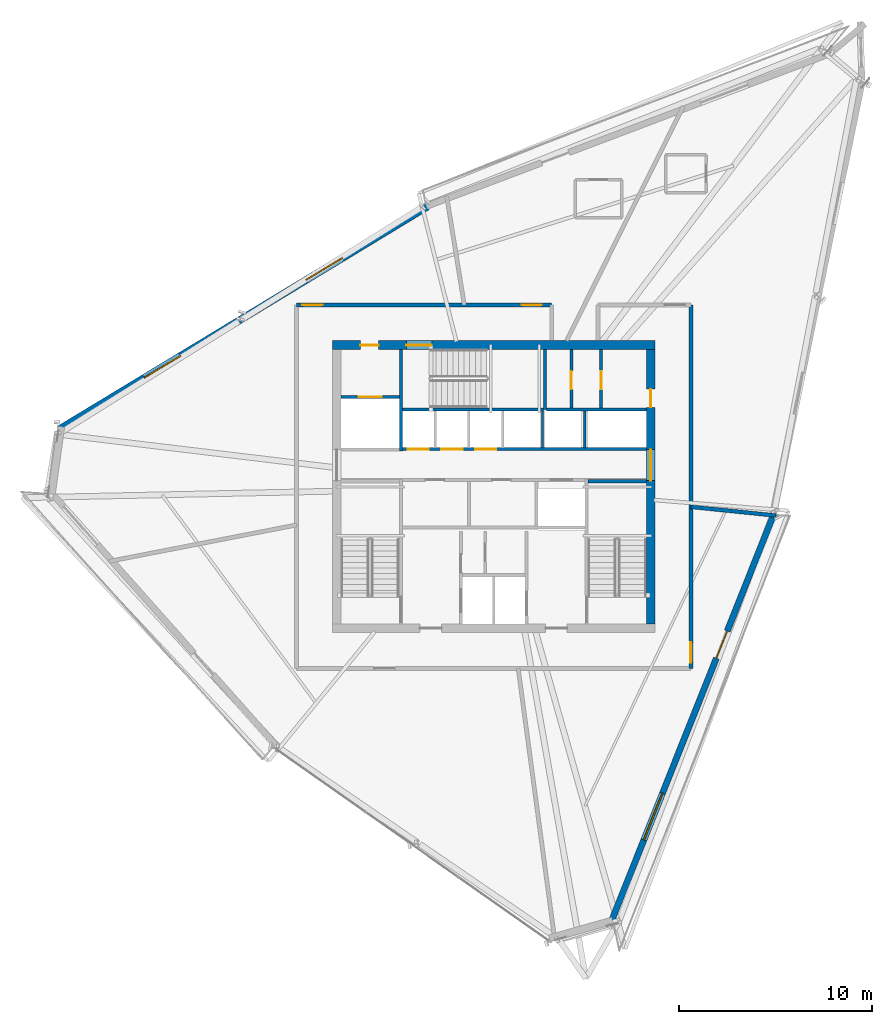
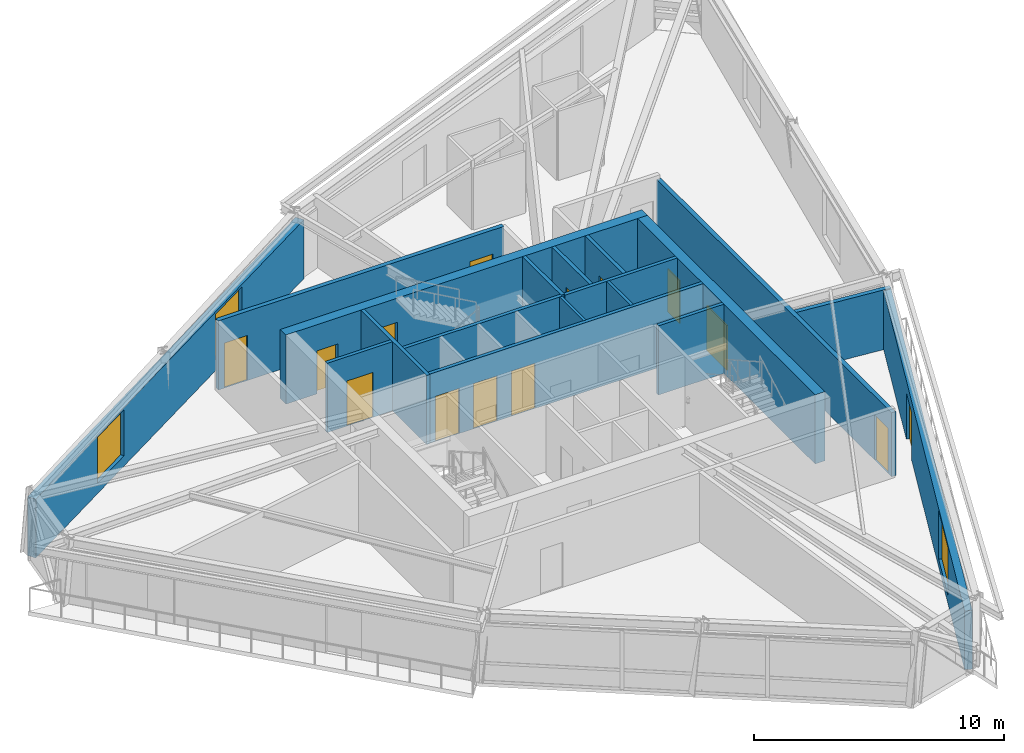
# One storey, part 9 of 13: 18 walls, 14 doors, 3 windows, 17 openings.
"""IFC4 building model written with IfcOpenShell, lengths in metres."""

from ifc_helpers import new_model, si_unit, direction, frame, frame_2d, origin, place, context, subcontext, project, spatial, rectangle, extrude, source, transform, mapped, material, layer, layer_set, type_object, type_shapes, element, fill, save


model = new_model("IFC4")

# Units and contexts
model_context = context("Model", 3, precision=1e-05, world=origin(), true_north=direction((0.0, 1.0)))
body_context = subcontext(model_context, "Body", "Model", "MODEL_VIEW")
ifc_project = project(units=[si_unit("LENGTHUNIT", "METRE"), si_unit("AREAUNIT", "SQUARE_METRE"), si_unit("VOLUMEUNIT", "CUBIC_METRE"), si_unit("PLANEANGLEUNIT", "RADIAN"), si_unit("MASSUNIT", "GRAM", prefix="KILO")], contexts=[model_context])

# Site, building, storey
site_placement = place(None, origin())
site = spatial("IfcSite", under=ifc_project, at=site_placement, CompositionType="ELEMENT")
building_placement = place(site_placement, origin())
building = spatial("IfcBuilding", under=site, at=building_placement, Name="Olszyna Solenne Hotel", CompositionType="ELEMENT")
storey_placement = place(building_placement, frame((0.0, 0.0, 238.10009765625)))
storey = spatial("IfcBuildingStorey", under=building, at=storey_placement, Name="L63", CompositionType="ELEMENT", Elevation=238.10009765625)

# Wall, openings, doors
ifc_material_1 = material(Name="Concrete C50/60", Category="concrete")
ifc_layer_1 = layer(ifc_material_1, 0.449951171875, Name="Concrete C50/60")
ifc_layer_set_1 = layer_set([ifc_layer_1], Name="Concrete C50/60")
wall_type_1 = type_object("IfcWallType", Name="WL-CR450", PredefinedType="SHEAR", material=ifc_layer_set_1)
wall_1_placement = place(storey_placement, frame((29.64990234375, 33.925048828125, 0.0), z_axis=(0.0, 0.0, 1.0), x_axis=(1.0, 0.0, 0.0)))
wall_1 = element("IfcWall", 1, at=wall_1_placement, inside=storey, type_object=wall_type_1, Name="Core shear wall WL-CR450 CRW-L63-N", PredefinedType="SHEAR", context=body_context, shape_type="SweptSolid", body=[
    extrude(rectangle(XDim=16.7001953125, YDim=0.449951171875, at=frame_2d((8.35009765625, 0.0))), origin(), (0.0, 0.0, 1.0), 3.3798828125),
])
opening_1_placement = place(wall_1_placement, frame((1.449951171875, 0.0, 0.0)))
opening_1 = element("IfcOpeningElement", 2, at=opening_1_placement, cuts=wall_1, Name="Opening SVD-L63-01", PredefinedType="OPENING", context=body_context, shape_type="SweptSolid", body=[
    extrude(rectangle(XDim=0.949951171875, YDim=2.10009765625, at=frame_2d((0.47509765625, 1.050048828125))), frame((0.0, 0.23486328125, 0.0), z_axis=(0.0, -1.0, 0.0), x_axis=(1.0, 0.0, 0.0)), (0.0, 0.0, 1.0), 0.469970703125),
])
opening_2_placement = place(wall_1_placement, frame((3.830078125, 0.0, 0.0)))
opening_2 = element("IfcOpeningElement", 3, at=opening_2_placement, cuts=wall_1, Name="Opening STD-L63-03", PredefinedType="OPENING", context=body_context, shape_type="SweptSolid", body=[
    extrude(rectangle(XDim=1.320068359375, YDim=2.199951171875, at=frame_2d((0.66015625, 1.10009765625))), frame((0.0, 0.23486328125, 0.0), z_axis=(0.0, -1.0, 0.0), x_axis=(1.0, 0.0, 0.0)), (0.0, 0.0, 1.0), 0.469970703125),
])
ifc_material_2 = material(Name="Steel S355J2", Category="steel")
door_type_1 = type_object("IfcDoorType", Name="DR-ST1", OperationType="NOTDEFINED", PredefinedType="DOOR", material=ifc_material_2)
shared_shape_1 = source(origin(), body_context, "Body", "SweptSolid", [
    extrude(rectangle(XDim=1.320068359375, YDim=2.199951171875, at=frame_2d((0.66015625, 1.10009765625))), frame((0.0, 0.02490234375, 0.0), z_axis=(0.0, -1.0, 0.0), x_axis=(1.0, 0.0, 0.0)), (0.0, 0.0, 1.0), 0.050048828125),
])
type_shapes(door_type_1, [shared_shape_1])
door_1_placement = place(opening_2_placement, origin())
door_1 = element("IfcDoor", 4, at=door_1_placement, inside=storey, type_object=door_type_1, Name="Pressurised exit stair ST3 fire door STD-L63-03", OperationType="SINGLE_SWING_RIGHT", OverallHeight=2.199951171875, OverallWidth=1.320068359375, PredefinedType="DOOR", context=body_context, shape_type="MappedRepresentation", body=[
    mapped(shared_shape_1, transform((0.0, 0.0, 0.0), x_axis=(1.0, 0.0, 0.0), y_axis=(0.0, 1.0, 0.0), z_axis=(0.0, 0.0, 1.0), scale=1.0)),
])
fill(opening_2, door_1)
door_type_2 = type_object("IfcDoorType", Name="DR-SV1", OperationType="NOTDEFINED", PredefinedType="DOOR", material=ifc_material_2)
shared_shape_2 = source(origin(), body_context, "Body", "SweptSolid", [
    extrude(rectangle(XDim=0.949951171875, YDim=2.10009765625, at=frame_2d((0.47509765625, 1.050048828125))), frame((0.0, 0.02490234375, 0.0), z_axis=(0.0, -1.0, 0.0), x_axis=(1.0, 0.0, 0.0)), (0.0, 0.0, 1.0), 0.050048828125),
])
type_shapes(door_type_2, [shared_shape_2])
door_2_placement = place(opening_1_placement, origin())
door_2 = element("IfcDoor", 5, at=door_2_placement, inside=storey, type_object=door_type_2, Name="Service lift lobby fire door SVD-L63-01", OperationType="SINGLE_SWING_LEFT", OverallHeight=2.10009765625, OverallWidth=0.949951171875, PredefinedType="DOOR", context=body_context, shape_type="MappedRepresentation", body=[
    mapped(shared_shape_2, transform((0.0, 0.0, 0.0), x_axis=(1.0, 0.0, 0.0), y_axis=(0.0, 1.0, 0.0), z_axis=(0.0, 0.0, 1.0), scale=1.0)),
])
fill(opening_1, door_2)

wall_2_placement = place(storey_placement, frame((46.125, 33.699951171875, 0.0), z_axis=(0.0, 0.0, 1.0), x_axis=(0.0, -1.0, 0.0)))
wall_2 = element("IfcWall", 6, at=wall_2_placement, inside=storey, type_object=wall_type_1, Name="Core shear wall WL-CR450 CRW-L63-E", PredefinedType="SHEAR", context=body_context, shape_type="SweptSolid", body=[
    extrude(rectangle(XDim=14.199951171875, YDim=0.449951171875, at=frame_2d((7.10009765625, 0.0))), origin(), (0.0, 0.0, 1.0), 3.3798828125),
])
opening_3_placement = place(wall_2_placement, frame((5.179931640625, 0.0, 0.0)))
opening_3 = element("IfcOpeningElement", 7, at=opening_3_placement, cuts=wall_2, Name="Opening LHD-L63-E", PredefinedType="OPENING", context=body_context, shape_type="SweptSolid", body=[
    extrude(rectangle(XDim=1.60009765625, YDim=2.199951171875, at=frame_2d((0.800048828125, 1.10009765625))), frame((0.0, 0.23486328125, 0.0), z_axis=(0.0, -1.0, 0.0), x_axis=(1.0, 0.0, 0.0)), (0.0, 0.0, 1.0), 0.469970703125),
])
opening_4_placement = place(wall_2_placement, frame((2.050048828125, 0.0, 0.0)))
opening_4 = element("IfcOpeningElement", 8, at=opening_4_placement, cuts=wall_2, Name="Opening SVD-L63-BE", PredefinedType="OPENING", context=body_context, shape_type="SweptSolid", body=[
    extrude(rectangle(XDim=0.949951171875, YDim=2.10009765625, at=frame_2d((0.47509765625, 1.050048828125))), frame((0.0, 0.23486328125, 0.0), z_axis=(0.0, -1.0, 0.0), x_axis=(1.0, 0.0, 0.0)), (0.0, 0.0, 1.0), 0.469970703125),
])
door_3_placement = place(opening_4_placement, origin())
door_3 = element("IfcDoor", 9, at=door_3_placement, inside=storey, type_object=door_type_2, Name="Housekeeping core fire door SVD-L63-BE", OperationType="SINGLE_SWING_RIGHT", OverallHeight=2.10009765625, OverallWidth=0.949951171875, PredefinedType="DOOR", context=body_context, shape_type="MappedRepresentation", body=[
    mapped(shared_shape_2, transform((0.0, 0.0, 0.0), x_axis=(1.0, 0.0, 0.0), y_axis=(0.0, 1.0, 0.0), z_axis=(0.0, 0.0, 1.0), scale=1.0)),
])
fill(opening_4, door_3)
ifc_material_3 = material(Name="Timber hardwood", Category="wood")
door_type_3 = type_object("IfcDoorType", Name="DR-CR1", OperationType="DOUBLE_DOOR_SINGLE_SWING", PredefinedType="DOOR", material=ifc_material_3)
shared_shape_3 = source(origin(), body_context, "Body", "SweptSolid", [
    extrude(rectangle(XDim=1.60009765625, YDim=2.199951171875, at=frame_2d((0.800048828125, 1.10009765625))), frame((0.0, 0.02490234375, 0.0), z_axis=(0.0, -1.0, 0.0), x_axis=(1.0, 0.0, 0.0)), (0.0, 0.0, 1.0), 0.050048828125),
])
type_shapes(door_type_3, [shared_shape_3])
door_4_placement = place(opening_3_placement, origin())
door_4 = element("IfcDoor", 10, at=door_4_placement, inside=storey, type_object=door_type_3, Name="Passenger lift lobby East fire door LHD-L63-E", OperationType="DOUBLE_DOOR_SINGLE_SWING", OverallHeight=2.199951171875, OverallWidth=1.60009765625, PredefinedType="DOOR", context=body_context, shape_type="MappedRepresentation", body=[
    mapped(shared_shape_3, transform((0.0, 0.0, 0.0), x_axis=(1.0, 0.0, 0.0), y_axis=(0.0, 1.0, 0.0), z_axis=(0.0, 0.0, 1.0), scale=1.0)),
])
fill(opening_3, door_4)

# Wall, openings, door, window
ifc_material_4 = material(Name="Precast concrete C45/55", Category="concrete")
ifc_layer_2 = layer(ifc_material_4, 0.320068359375, Name="Precast concrete C45/55")
ifc_layer_set_2 = layer_set([ifc_layer_2], Name="Precast concrete C45/55")
wall_type_2 = type_object("IfcWallType", Name="WL-EX320", PredefinedType="SOLIDWALL", material=ifc_layer_set_2)
wall_3_placement = place(storey_placement, frame((52.501708984375, 25.204345703125, 0.0), z_axis=(0.0, 0.0, 1.0), x_axis=(-0.37055605209, -0.928810105597, 0.0)))
wall_3 = element("IfcWall", 11, at=wall_3_placement, inside=storey, type_object=wall_type_2, Name="Exterior terracotta-precast frame wall WL-EX320 EW-L63-01", PredefinedType="SOLIDWALL", context=body_context, shape_type="SweptSolid", body=[
    extrude(rectangle(XDim=22.800048828125, YDim=0.320068359375, at=frame_2d((11.39990234375, 0.0))), origin(), (0.0, 0.0, 1.0), 2.871826171875),
])
opening_5_placement = place(wall_3_placement, frame((6.5458984375, 0.0, 0.0)))
opening_5 = element("IfcOpeningElement", 12, at=opening_5_placement, cuts=wall_3, Name="Opening LDG-L63-3", PredefinedType="OPENING", context=body_context, shape_type="SweptSolid", body=[
    extrude(rectangle(XDim=1.5, YDim=2.300048828125, at=frame_2d((0.75, 1.14990234375))), frame((0.0, 0.169921875, 0.0), z_axis=(0.0, -1.0, 0.0), x_axis=(1.0, 0.0, 0.0)), (0.0, 0.0, 1.0), 0.340087890625),
])
opening_6_placement = place(wall_3_placement, frame((15.572021484375, 0.0, 0.402099609375)))
opening_6 = element("IfcOpeningElement", 13, at=opening_6_placement, cuts=wall_3, Name="Opening WN-L63-409", PredefinedType="OPENING", context=body_context, shape_type="SweptSolid", body=[
    extrude(rectangle(XDim=2.60009765625, YDim=2.35009765625, at=frame_2d((1.300048828125, 1.175048828125))), frame((0.0, 0.169921875, 0.0), z_axis=(0.0, -1.0, 0.0), x_axis=(1.0, 0.0, 0.0)), (0.0, 0.0, 1.0), 0.340087890625),
])
ifc_material_5 = material(Name="Anodised bronze aluminium", Category="aluminium")
door_type_4 = type_object("IfcDoorType", Name="DR-LG2", OperationType="DOUBLE_DOOR_SINGLE_SWING", PredefinedType="DOOR", material=ifc_material_5)
shared_shape_4 = source(origin(), body_context, "Body", "SweptSolid", [
    extrude(rectangle(XDim=1.5, YDim=2.300048828125, at=frame_2d((0.75, 1.14990234375))), frame((0.0, 0.02490234375, 0.0), z_axis=(0.0, -1.0, 0.0), x_axis=(1.0, 0.0, 0.0)), (0.0, 0.0, 1.0), 0.050048828125),
])
type_shapes(door_type_4, [shared_shape_4])
door_5_placement = place(opening_5_placement, origin())
door_5 = element("IfcDoor", 14, at=door_5_placement, inside=storey, type_object=door_type_4, Name="Exterior loggia balcony door DR-LG2 LDG-L63-3", OperationType="DOUBLE_DOOR_SINGLE_SWING", OverallHeight=2.300048828125, OverallWidth=1.5, PredefinedType="DOOR", context=body_context, shape_type="MappedRepresentation", body=[
    mapped(shared_shape_4, transform((0.0, 0.0, 0.0), x_axis=(1.0, 0.0, 0.0), y_axis=(0.0, 1.0, 0.0), z_axis=(0.0, 0.0, 1.0), scale=1.0)),
])
fill(opening_5, door_5)
ifc_material_6 = material(Name="Low-E triple glazing", Category="glass")
window_type_1 = type_object("IfcWindowType", Name="WN-ST1", PartitioningType="SINGLE_PANEL", PredefinedType="WINDOW", material=ifc_material_6)
shared_shape_5 = source(origin(), body_context, "Body", "SweptSolid", [
    extrude(rectangle(XDim=2.60009765625, YDim=2.35009765625, at=frame_2d((1.300048828125, 1.175048828125))), frame((0.0, 0.030029296875, 0.0), z_axis=(0.0, -1.0, 0.0), x_axis=(1.0, 0.0, 0.0)), (0.0, 0.0, 1.0), 0.06005859375),
])
type_shapes(window_type_1, [shared_shape_5])
window_1_placement = place(opening_6_placement, origin())
window_1 = element("IfcWindow", 15, at=window_1_placement, inside=storey, type_object=window_type_1, Name="Loggia room window WN-ST1 WN-L63-409", OverallHeight=2.35009765625, OverallWidth=2.60009765625, PartitioningType="SINGLE_PANEL", PredefinedType="WINDOW", context=body_context, shape_type="MappedRepresentation", body=[
    mapped(shared_shape_5, transform((0.0, 0.0, 0.0), x_axis=(1.0, 0.0, 0.0), y_axis=(0.0, 1.0, 0.0), z_axis=(0.0, 0.0, 1.0), scale=1.0)),
])
fill(opening_6, window_1)

# Wall, openings, windows
ifc_material_7 = material(Name="Terracotta cladding on precast concrete C45/55", Category="masonry")
ifc_layer_3 = layer(ifc_material_7, 0.3798828125, Name="Terracotta cladding on precast concrete C45/55")
ifc_layer_set_3 = layer_set([ifc_layer_3], Name="Terracotta cladding on precast concrete C45/55")
wall_type_3 = type_object("IfcWallType", Name="WL-EX380", PredefinedType="SOLIDWALL", material=ifc_layer_set_3)
wall_4_placement = place(storey_placement, frame((15.52490234375, 29.570068359375, 0.0), z_axis=(0.0, 0.0, 1.0), x_axis=(0.855554684799, 0.517712450418, 0.0)))
wall_4 = element("IfcWall", 16, at=wall_4_placement, inside=storey, type_object=wall_type_3, Name="Exterior terracotta-precast frame wall WL-EX380 EW-L63-06", PredefinedType="SOLIDWALL", context=body_context, shape_type="SweptSolid", body=[
    extrude(rectangle(XDim=22.253173828125, YDim=0.3798828125, at=frame_2d((11.12646484375, 0.0))), origin(), (0.0, 0.0, 1.0), 2.871826171875),
])
opening_7_placement = place(wall_4_placement, frame((5.131103515625, 0.0, 0.501953125)))
opening_7 = element("IfcOpeningElement", 17, at=opening_7_placement, cuts=wall_4, Name="Opening WN-L63-411", PredefinedType="OPENING", context=body_context, shape_type="SweptSolid", body=[
    extrude(rectangle(XDim=2.199951171875, YDim=2.25, at=frame_2d((1.10009765625, 1.125))), frame((0.0, 0.199951171875, 0.0), z_axis=(0.0, -1.0, 0.0), x_axis=(1.0, 0.0, 0.0)), (0.0, 0.0, 1.0), 0.39990234375),
])
opening_8_placement = place(wall_4_placement, frame((14.922119140625, 0.0, 0.501953125)))
opening_8 = element("IfcOpeningElement", 18, at=opening_8_placement, cuts=wall_4, Name="Opening WN-L63-412", PredefinedType="OPENING", context=body_context, shape_type="SweptSolid", body=[
    extrude(rectangle(XDim=2.199951171875, YDim=2.25, at=frame_2d((1.10009765625, 1.125))), frame((0.0, 0.199951171875, 0.0), z_axis=(0.0, -1.0, 0.0), x_axis=(1.0, 0.0, 0.0)), (0.0, 0.0, 1.0), 0.39990234375),
])
window_type_2 = type_object("IfcWindowType", Name="WN-HT2", PartitioningType="SINGLE_PANEL", PredefinedType="WINDOW", material=ifc_material_6)
shared_shape_6 = source(origin(), body_context, "Body", "SweptSolid", [
    extrude(rectangle(XDim=2.199951171875, YDim=2.25, at=frame_2d((1.10009765625, 1.125))), frame((0.0, 0.030029296875, 0.0), z_axis=(0.0, -1.0, 0.0), x_axis=(1.0, 0.0, 0.0)), (0.0, 0.0, 1.0), 0.06005859375),
])
type_shapes(window_type_2, [shared_shape_6])
window_2_placement = place(opening_7_placement, origin())
window_2 = element("IfcWindow", 19, at=window_2_placement, inside=storey, type_object=window_type_2, Name="Exterior facade window WN-HT2 WN-L63-411", OverallHeight=2.25, OverallWidth=2.199951171875, PartitioningType="SINGLE_PANEL", PredefinedType="WINDOW", context=body_context, shape_type="MappedRepresentation", body=[
    mapped(shared_shape_6, transform((0.0, 0.0, 0.0), x_axis=(1.0, 0.0, 0.0), y_axis=(0.0, 1.0, 0.0), z_axis=(0.0, 0.0, 1.0), scale=1.0)),
])
fill(opening_7, window_2)
window_3_placement = place(opening_8_placement, origin())
window_3 = element("IfcWindow", 20, at=window_3_placement, inside=storey, type_object=window_type_2, Name="Exterior facade window WN-HT2 WN-L63-412", OverallHeight=2.25, OverallWidth=2.199951171875, PartitioningType="SINGLE_PANEL", PredefinedType="WINDOW", context=body_context, shape_type="MappedRepresentation", body=[
    mapped(shared_shape_6, transform((0.0, 0.0, 0.0), x_axis=(1.0, 0.0, 0.0), y_axis=(0.0, 1.0, 0.0), z_axis=(0.0, 0.0, 1.0), scale=1.0)),
])
fill(opening_8, window_3)

# Walls
ifc_material_8 = material(Name="Acoustic gypsum partition", Category="gypsum")
ifc_layer_4 = layer(ifc_material_8, 0.125, Name="Acoustic gypsum partition")
ifc_layer_set_4 = layer_set([ifc_layer_4], Name="Acoustic gypsum partition")
wall_type_4 = type_object("IfcWallType", Name="WL-PT125", PredefinedType="PARTITIONING", material=ifc_layer_set_4)
for number, where, z_axis, x_axis, name in (
    (21, (40.52490234375, 28.60009765625, 0.0), (0.0, 0.0, 1.0), (0.0, 1.0, 0.0), "Core shaft compartment wall CW-L63-DIVEX405"),
    (22, (42.699951171875, 28.60009765625, 0.0), (0.0, 0.0, 1.0), (0.0, 1.0, 0.0), "Core shaft compartment wall CW-L63-DIVEX427"),
):
    element("IfcWall", number, at=place(storey_placement, frame(where, z_axis=z_axis, x_axis=x_axis)), inside=storey, type_object=wall_type_4, Name=name, PredefinedType="PARTITIONING", context=body_context, shape_type="SweptSolid", body=[
        extrude(rectangle(XDim=1.919921875, YDim=0.125, at=frame_2d((0.9599609375, 0.0))), origin(), (0.0, 0.0, 1.0), 3.3798828125),
    ])
ifc_layer_5 = layer(ifc_material_8, 0.159912109375, Name="Acoustic gypsum partition")
ifc_layer_set_5 = layer_set([ifc_layer_5], Name="Acoustic gypsum partition")
wall_type_5 = type_object("IfcWallType", Name="WL-PT160", PredefinedType="PARTITIONING", material=ifc_layer_set_5)
wall_5_placement = place(storey_placement, frame((42.8798828125, 26.8798828125, 0.0), z_axis=(0.0, 0.0, 1.0), x_axis=(1.0, 0.0, 0.0)))
element("IfcWall", 23, at=wall_5_placement, inside=storey, type_object=wall_type_5, Name="Core shaft compartment wall CW-L63-ST2N", PredefinedType="PARTITIONING", context=body_context, shape_type="SweptSolid", body=[
    extrude(rectangle(XDim=3.02001953125, YDim=0.159912109375, at=frame_2d((1.510009765625, 0.0))), origin(), (0.0, 0.0, 1.0), 3.3798828125),
])
wall_6_placement = place(storey_placement, frame((33.280029296875, 30.60009765625, 0.0), z_axis=(0.0, 0.0, 1.0), x_axis=(1.0, 0.0, 0.0)))
element("IfcWall", 24, at=wall_6_placement, inside=storey, type_object=wall_type_5, Name="Core shaft compartment wall CW-L63-ST3S", PredefinedType="PARTITIONING", context=body_context, shape_type="SweptSolid", body=[
    extrude(rectangle(XDim=7.300048828125, YDim=0.159912109375, at=frame_2d((3.64990234375, 0.0))), origin(), (0.0, 0.0, 1.0), 3.3798828125),
])
wall_7_placement = place(storey_placement, frame((40.659912109375, 30.60009765625, 0.0), z_axis=(0.0, 0.0, 1.0), x_axis=(0.0, 1.0, 0.0)))
element("IfcWall", 25, at=wall_7_placement, inside=storey, type_object=wall_type_5, Name="Core shaft compartment wall CW-L63-ST3E", PredefinedType="PARTITIONING", context=body_context, shape_type="SweptSolid", body=[
    extrude(rectangle(XDim=3.099853515625, YDim=0.159912109375, at=frame_2d((1.5498046875, 0.0))), origin(), (0.0, 0.0, 1.0), 3.3798828125),
])
wall_8_placement = place(storey_placement, frame((33.199951171875, 28.43994140625, 0.0), z_axis=(0.0, 0.0, 1.0), x_axis=(0.0, 1.0, 0.0)))
element("IfcWall", 26, at=wall_8_placement, inside=storey, type_object=wall_type_5, Name="Core shaft compartment wall CW-L63-SV1E", PredefinedType="PARTITIONING", context=body_context, shape_type="SweptSolid", body=[
    extrude(rectangle(XDim=5.260009765625, YDim=0.159912109375, at=frame_2d((2.6298828125, 0.0))), origin(), (0.0, 0.0, 1.0), 3.3798828125),
])

# Wall, opening, door
wall_9_placement = place(storey_placement, frame((30.10009765625, 31.239990234375, 0.0), z_axis=(0.0, 0.0, 1.0), x_axis=(1.0, 0.0, 0.0)))
wall_9 = element("IfcWall", 27, at=wall_9_placement, inside=storey, type_object=wall_type_5, Name="Core shaft compartment wall CW-L63-SV1N", PredefinedType="PARTITIONING", context=body_context, shape_type="SweptSolid", body=[
    extrude(rectangle(XDim=3.02001953125, YDim=0.159912109375, at=frame_2d((1.510009765625, 0.0))), origin(), (0.0, 0.0, 1.0), 3.3798828125),
])
opening_9_placement = place(wall_9_placement, frame((0.909912109375, 0.0, 0.0)))
opening_9 = element("IfcOpeningElement", 28, at=opening_9_placement, cuts=wall_9, Name="Opening LD-L63-SV1", PredefinedType="OPENING", context=body_context, shape_type="SweptSolid", body=[
    extrude(rectangle(XDim=1.199951171875, YDim=2.199951171875, at=frame_2d((0.60009765625, 1.10009765625))), frame((0.0, 0.08984375, 0.0), z_axis=(0.0, -1.0, 0.0), x_axis=(1.0, 0.0, 0.0)), (0.0, 0.0, 1.0), 0.179931640625),
])
door_type_5 = type_object("IfcDoorType", Name="LD-FF1", OperationType="DOUBLE_DOOR_SLIDING", PredefinedType="DOOR", material=ifc_material_2)
shared_shape_7 = source(origin(), body_context, "Body", "SweptSolid", [
    extrude(rectangle(XDim=1.199951171875, YDim=2.199951171875, at=frame_2d((0.60009765625, 1.10009765625))), frame((0.0, 0.02490234375, 0.0), z_axis=(0.0, -1.0, 0.0), x_axis=(1.0, 0.0, 0.0)), (0.0, 0.0, 1.0), 0.050048828125),
])
type_shapes(door_type_5, [shared_shape_7])
door_6_placement = place(opening_9_placement, origin())
door_6 = element("IfcDoor", 29, at=door_6_placement, inside=storey, type_object=door_type_5, Name="Service lift SV1 sliding landing door LD-L63-SV1", OperationType="DOUBLE_DOOR_SLIDING", OverallHeight=2.199951171875, OverallWidth=1.199951171875, PredefinedType="DOOR", context=body_context, shape_type="MappedRepresentation", body=[
    mapped(shared_shape_7, transform((0.0, 0.0, 0.0), x_axis=(1.0, 0.0, 0.0), y_axis=(0.0, 1.0, 0.0), z_axis=(0.0, 0.0, 1.0), scale=1.0)),
])
fill(opening_9, door_6)

# Wall, openings, doors
wall_10_placement = place(storey_placement, frame((33.280029296875, 28.5400390625, 0.0), z_axis=(0.0, 0.0, 1.0), x_axis=(1.0, 0.0, 0.0)))
wall_10 = element("IfcWall", 30, at=wall_10_placement, inside=storey, type_object=wall_type_5, Name="Core shaft compartment wall CW-L63-LRN", PredefinedType="PARTITIONING", context=body_context, shape_type="SweptSolid", body=[
    extrude(rectangle(XDim=12.619873046875, YDim=0.159912109375, at=frame_2d((6.31005859375, 0.0))), origin(), (0.0, 0.0, 1.0), 3.3798828125),
])
opening_10_placement = place(wall_10_placement, frame((0.260009765625, 0.0, 0.0)))
opening_10 = element("IfcOpeningElement", 31, at=opening_10_placement, cuts=wall_10, Name="Opening LD-L63-PL6", PredefinedType="OPENING", context=body_context, shape_type="SweptSolid", body=[
    extrude(rectangle(XDim=1.10009765625, YDim=2.199951171875, at=frame_2d((0.550048828125, 1.10009765625))), frame((0.0, 0.08984375, 0.0), z_axis=(0.0, -1.0, 0.0), x_axis=(1.0, 0.0, 0.0)), (0.0, 0.0, 1.0), 0.179931640625),
])
opening_11_placement = place(wall_10_placement, frame((2.010009765625, 0.0, 0.0)))
opening_11 = element("IfcOpeningElement", 32, at=opening_11_placement, cuts=wall_10, Name="Opening LD-L63-PL7", PredefinedType="OPENING", context=body_context, shape_type="SweptSolid", body=[
    extrude(rectangle(XDim=1.10009765625, YDim=2.199951171875, at=frame_2d((0.550048828125, 1.10009765625))), frame((0.0, 0.08984375, 0.0), z_axis=(0.0, -1.0, 0.0), x_axis=(1.0, 0.0, 0.0)), (0.0, 0.0, 1.0), 0.179931640625),
])
opening_12_placement = place(wall_10_placement, frame((3.760009765625, 0.0, 0.0)))
opening_12 = element("IfcOpeningElement", 33, at=opening_12_placement, cuts=wall_10, Name="Opening LD-L63-PL8", PredefinedType="OPENING", context=body_context, shape_type="SweptSolid", body=[
    extrude(rectangle(XDim=1.10009765625, YDim=2.199951171875, at=frame_2d((0.550048828125, 1.10009765625))), frame((0.0, 0.08984375, 0.0), z_axis=(0.0, -1.0, 0.0), x_axis=(1.0, 0.0, 0.0)), (0.0, 0.0, 1.0), 0.179931640625),
])
door_type_6 = type_object("IfcDoorType", Name="LD-P1", OperationType="DOUBLE_DOOR_SLIDING", PredefinedType="DOOR", material=ifc_material_2)
shared_shape_8 = source(origin(), body_context, "Body", "SweptSolid", [
    extrude(rectangle(XDim=1.10009765625, YDim=2.199951171875, at=frame_2d((0.550048828125, 1.10009765625))), frame((0.0, 0.02490234375, 0.0), z_axis=(0.0, -1.0, 0.0), x_axis=(1.0, 0.0, 0.0)), (0.0, 0.0, 1.0), 0.050048828125),
])
type_shapes(door_type_6, [shared_shape_8])
door_7_placement = place(opening_10_placement, origin())
door_7 = element("IfcDoor", 34, at=door_7_placement, inside=storey, type_object=door_type_6, Name="Passenger lift PL6 sliding landing door LD-L63-PL6", OperationType="DOUBLE_DOOR_SLIDING", OverallHeight=2.199951171875, OverallWidth=1.10009765625, PredefinedType="DOOR", context=body_context, shape_type="MappedRepresentation", body=[
    mapped(shared_shape_8, transform((0.0, 0.0, 0.0), x_axis=(1.0, 0.0, 0.0), y_axis=(0.0, 1.0, 0.0), z_axis=(0.0, 0.0, 1.0), scale=1.0)),
])
fill(opening_10, door_7)
door_8_placement = place(opening_11_placement, origin())
door_8 = element("IfcDoor", 35, at=door_8_placement, inside=storey, type_object=door_type_6, Name="Passenger lift PL7 sliding landing door LD-L63-PL7", OperationType="DOUBLE_DOOR_SLIDING", OverallHeight=2.199951171875, OverallWidth=1.10009765625, PredefinedType="DOOR", context=body_context, shape_type="MappedRepresentation", body=[
    mapped(shared_shape_8, transform((0.0, 0.0, 0.0), x_axis=(1.0, 0.0, 0.0), y_axis=(0.0, 1.0, 0.0), z_axis=(0.0, 0.0, 1.0), scale=1.0)),
])
fill(opening_11, door_8)
door_9_placement = place(opening_12_placement, origin())
door_9 = element("IfcDoor", 36, at=door_9_placement, inside=storey, type_object=door_type_6, Name="Passenger lift PL8 sliding landing door LD-L63-PL8", OperationType="DOUBLE_DOOR_SLIDING", OverallHeight=2.199951171875, OverallWidth=1.10009765625, PredefinedType="DOOR", context=body_context, shape_type="MappedRepresentation", body=[
    mapped(shared_shape_8, transform((0.0, 0.0, 0.0), x_axis=(1.0, 0.0, 0.0), y_axis=(0.0, 1.0, 0.0), z_axis=(0.0, 0.0, 1.0), scale=1.0)),
])
fill(opening_12, door_9)

# Wall
wall_11_placement = place(storey_placement, frame((40.719970703125, 30.60009765625, 0.0), z_axis=(0.0, 0.0, 1.0), x_axis=(1.0, 0.0, 0.0)))
element("IfcWall", 37, at=wall_11_placement, inside=storey, type_object=wall_type_5, Name="Core shaft compartment wall CW-L63-LRNTOP", PredefinedType="PARTITIONING", context=body_context, shape_type="SweptSolid", body=[
    extrude(rectangle(XDim=5.179931640625, YDim=0.159912109375, at=frame_2d((2.58984375, 0.0))), origin(), (0.0, 0.0, 1.0), 3.3798828125),
])

# Wall, opening, door
wall_12_placement = place(storey_placement, frame((42.014892578125, 30.679931640625, 0.0), z_axis=(0.0, 0.0, 1.0), x_axis=(0.0, 1.0, 0.0)))
wall_12 = element("IfcWall", 38, at=wall_12_placement, inside=storey, type_object=wall_type_5, Name="Core shaft compartment wall CW-L63-BOH3A", PredefinedType="PARTITIONING", context=body_context, shape_type="SweptSolid", body=[
    extrude(rectangle(XDim=3.02001953125, YDim=0.159912109375, at=frame_2d((1.510009765625, 0.0))), origin(), (0.0, 0.0, 1.0), 3.3798828125),
])
opening_13_placement = place(wall_12_placement, frame((0.949951171875, 0.0, 0.0)))
opening_13 = element("IfcOpeningElement", 39, at=opening_13_placement, cuts=wall_12, Name="Opening SVD-L63-B31", PredefinedType="OPENING", context=body_context, shape_type="SweptSolid", body=[
    extrude(rectangle(XDim=0.949951171875, YDim=2.10009765625, at=frame_2d((0.47509765625, 1.050048828125))), frame((0.0, 0.08984375, 0.0), z_axis=(0.0, -1.0, 0.0), x_axis=(1.0, 0.0, 0.0)), (0.0, 0.0, 1.0), 0.179931640625),
])
door_10_placement = place(opening_13_placement, origin())
door_10 = element("IfcDoor", 40, at=door_10_placement, inside=storey, type_object=door_type_2, Name="BOH inter-room fire door SVD-L63-B31", OperationType="SINGLE_SWING_LEFT", OverallHeight=2.10009765625, OverallWidth=0.949951171875, PredefinedType="DOOR", context=body_context, shape_type="MappedRepresentation", body=[
    mapped(shared_shape_2, transform((0.0, 0.0, 0.0), x_axis=(1.0, 0.0, 0.0), y_axis=(0.0, 1.0, 0.0), z_axis=(0.0, 0.0, 1.0), scale=1.0)),
])
fill(opening_13, door_10)

wall_13_placement = place(storey_placement, frame((43.554931640625, 30.679931640625, 0.0), z_axis=(0.0, 0.0, 1.0), x_axis=(0.0, 1.0, 0.0)))
wall_13 = element("IfcWall", 41, at=wall_13_placement, inside=storey, type_object=wall_type_5, Name="Core shaft compartment wall CW-L63-BOH3B", PredefinedType="PARTITIONING", context=body_context, shape_type="SweptSolid", body=[
    extrude(rectangle(XDim=3.02001953125, YDim=0.159912109375, at=frame_2d((1.510009765625, 0.0))), origin(), (0.0, 0.0, 1.0), 3.3798828125),
])
opening_14_placement = place(wall_13_placement, frame((0.949951171875, 0.0, 0.0)))
opening_14 = element("IfcOpeningElement", 42, at=opening_14_placement, cuts=wall_13, Name="Opening SVD-L63-B32", PredefinedType="OPENING", context=body_context, shape_type="SweptSolid", body=[
    extrude(rectangle(XDim=0.949951171875, YDim=2.10009765625, at=frame_2d((0.47509765625, 1.050048828125))), frame((0.0, 0.08984375, 0.0), z_axis=(0.0, -1.0, 0.0), x_axis=(1.0, 0.0, 0.0)), (0.0, 0.0, 1.0), 0.179931640625),
])
door_11_placement = place(opening_14_placement, origin())
door_11 = element("IfcDoor", 43, at=door_11_placement, inside=storey, type_object=door_type_2, Name="BOH inter-room fire door SVD-L63-B32", OperationType="SINGLE_SWING_LEFT", OverallHeight=2.10009765625, OverallWidth=0.949951171875, PredefinedType="DOOR", context=body_context, shape_type="MappedRepresentation", body=[
    mapped(shared_shape_2, transform((0.0, 0.0, 0.0), x_axis=(1.0, 0.0, 0.0), y_axis=(0.0, 1.0, 0.0), z_axis=(0.0, 0.0, 1.0), scale=1.0)),
])
fill(opening_14, door_11)

# Wall
ifc_layer_6 = layer(ifc_material_8, 0.199951171875, Name="Acoustic gypsum partition")
ifc_layer_set_6 = layer_set([ifc_layer_6], Name="Acoustic gypsum partition")
wall_type_6 = type_object("IfcWallType", Name="WL-PT200", PredefinedType="PARTITIONING", material=ifc_layer_set_6)
wall_14_placement = place(storey_placement, frame((48.199951171875, 25.556396484375, 0.0), z_axis=(0.0, 0.0, 1.0), x_axis=(0.994801232094, -0.101835694252, 0.0)))
element("IfcWall", 44, at=wall_14_placement, inside=storey, type_object=wall_type_6, Name="Interior acoustic partition WL-PT200 PW-L63-3491", PredefinedType="PARTITIONING", context=body_context, shape_type="SweptSolid", body=[
    extrude(rectangle(XDim=4.425537109375, YDim=0.199951171875, at=frame_2d((2.212890625, 0.0))), origin(), (0.0, 0.0, 1.0), 2.914794921875),
])

# Wall, openings, doors
wall_15_placement = place(storey_placement, frame((27.800048828125, 36.0, 0.0), z_axis=(0.0, 0.0, 1.0), x_axis=(1.0, 0.0, 0.0)))
wall_15 = element("IfcWall", 45, at=wall_15_placement, inside=storey, type_object=wall_type_6, Name="Interior acoustic partition WL-PT200 PW-L63-3503", PredefinedType="PARTITIONING", context=body_context, shape_type="SweptSolid", body=[
    extrude(rectangle(XDim=13.199951171875, YDim=0.199951171875, at=frame_2d((6.60009765625, 0.0))), origin(), (0.0, 0.0, 1.0), 3.3798828125),
])
opening_15_placement = place(wall_15_placement, frame((0.300048828125, 0.0, 0.0)))
opening_15 = element("IfcOpeningElement", 46, at=opening_15_placement, cuts=wall_15, Name="Opening DR-L63-0854", PredefinedType="OPENING", context=body_context, shape_type="SweptSolid", body=[
    extrude(rectangle(XDim=1.050048828125, YDim=2.199951171875, at=frame_2d((0.52490234375, 1.10009765625))), frame((0.0, 0.10986328125, 0.0), z_axis=(0.0, -1.0, 0.0), x_axis=(1.0, 0.0, 0.0)), (0.0, 0.0, 1.0), 0.219970703125),
])
opening_16_placement = place(wall_15_placement, frame((11.637939453125, 0.0, 0.0)))
opening_16 = element("IfcOpeningElement", 47, at=opening_16_placement, cuts=wall_15, Name="Opening DR-L63-0855", PredefinedType="OPENING", context=body_context, shape_type="SweptSolid", body=[
    extrude(rectangle(XDim=1.050048828125, YDim=2.199951171875, at=frame_2d((0.52490234375, 1.10009765625))), frame((0.0, 0.10986328125, 0.0), z_axis=(0.0, -1.0, 0.0), x_axis=(1.0, 0.0, 0.0)), (0.0, 0.0, 1.0), 0.219970703125),
])
door_type_7 = type_object("IfcDoorType", Name="DR-RM2", OperationType="NOTDEFINED", PredefinedType="DOOR", material=ifc_material_3)
shared_shape_9 = source(origin(), body_context, "Body", "SweptSolid", [
    extrude(rectangle(XDim=1.050048828125, YDim=2.199951171875, at=frame_2d((0.52490234375, 1.10009765625))), frame((0.0, 0.02490234375, 0.0), z_axis=(0.0, -1.0, 0.0), x_axis=(1.0, 0.0, 0.0)), (0.0, 0.0, 1.0), 0.050048828125),
])
type_shapes(door_type_7, [shared_shape_9])
door_12_placement = place(opening_15_placement, origin())
door_12 = element("IfcDoor", 48, at=door_12_placement, inside=storey, type_object=door_type_7, Name="Breakfast Tasting Salon Entrance Door DR-L63-0854", OperationType="SINGLE_SWING_RIGHT", OverallHeight=2.199951171875, OverallWidth=1.050048828125, PredefinedType="DOOR", context=body_context, shape_type="MappedRepresentation", body=[
    mapped(shared_shape_9, transform((0.0, 0.0, 0.0), x_axis=(1.0, 0.0, 0.0), y_axis=(0.0, 1.0, 0.0), z_axis=(0.0, 0.0, 1.0), scale=1.0)),
])
fill(opening_15, door_12)
door_13_placement = place(opening_16_placement, origin())
door_13 = element("IfcDoor", 49, at=door_13_placement, inside=storey, type_object=door_type_7, Name="Executive Reading Salon Entrance Door DR-L63-0855", OperationType="SINGLE_SWING_RIGHT", OverallHeight=2.199951171875, OverallWidth=1.050048828125, PredefinedType="DOOR", context=body_context, shape_type="MappedRepresentation", body=[
    mapped(shared_shape_9, transform((0.0, 0.0, 0.0), x_axis=(1.0, 0.0, 0.0), y_axis=(0.0, 1.0, 0.0), z_axis=(0.0, 0.0, 1.0), scale=1.0)),
])
fill(opening_16, door_13)

# Wall, opening, door
wall_16_placement = place(storey_placement, frame((48.199951171875, 17.199951171875, 0.0), z_axis=(0.0, 0.0, 1.0), x_axis=(0.0, 1.0, 0.0)))
wall_16 = element("IfcWall", 50, at=wall_16_placement, inside=storey, type_object=wall_type_6, Name="Interior acoustic partition WL-PT200 PW-L63-3507", PredefinedType="PARTITIONING", context=body_context, shape_type="SweptSolid", body=[
    extrude(rectangle(XDim=18.800048828125, YDim=0.199951171875, at=frame_2d((9.39990234375, 0.0))), origin(), (0.0, 0.0, 1.0), 3.125),
])
opening_17_placement = place(wall_16_placement, frame((0.300048828125, 0.0, 0.0)))
opening_17 = element("IfcOpeningElement", 51, at=opening_17_placement, cuts=wall_16, Name="Opening DR-L63-0857", PredefinedType="OPENING", context=body_context, shape_type="SweptSolid", body=[
    extrude(rectangle(XDim=1.050048828125, YDim=2.199951171875, at=frame_2d((0.52490234375, 1.10009765625))), frame((0.0, 0.10986328125, 0.0), z_axis=(0.0, -1.0, 0.0), x_axis=(1.0, 0.0, 0.0)), (0.0, 0.0, 1.0), 0.219970703125),
])
door_14_placement = place(opening_17_placement, origin())
door_14 = element("IfcDoor", 52, at=door_14_placement, inside=storey, type_object=door_type_7, Name="Sommelier Tasting Lounge Entrance Door DR-L63-0857", OperationType="SINGLE_SWING_RIGHT", OverallHeight=2.199951171875, OverallWidth=1.050048828125, PredefinedType="DOOR", context=body_context, shape_type="MappedRepresentation", body=[
    mapped(shared_shape_9, transform((0.0, 0.0, 0.0), x_axis=(1.0, 0.0, 0.0), y_axis=(0.0, 1.0, 0.0), z_axis=(0.0, 0.0, 1.0), scale=1.0)),
])
fill(opening_17, door_14)

save(model, "model.ifc")
